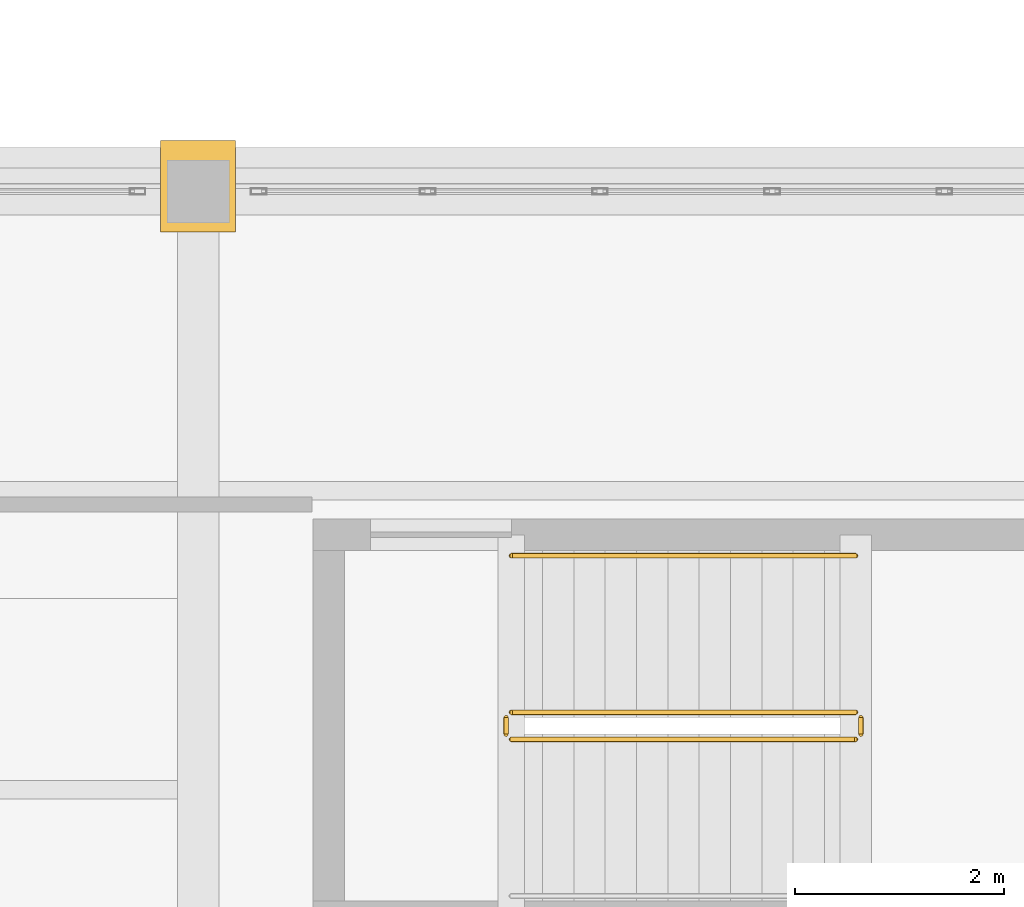
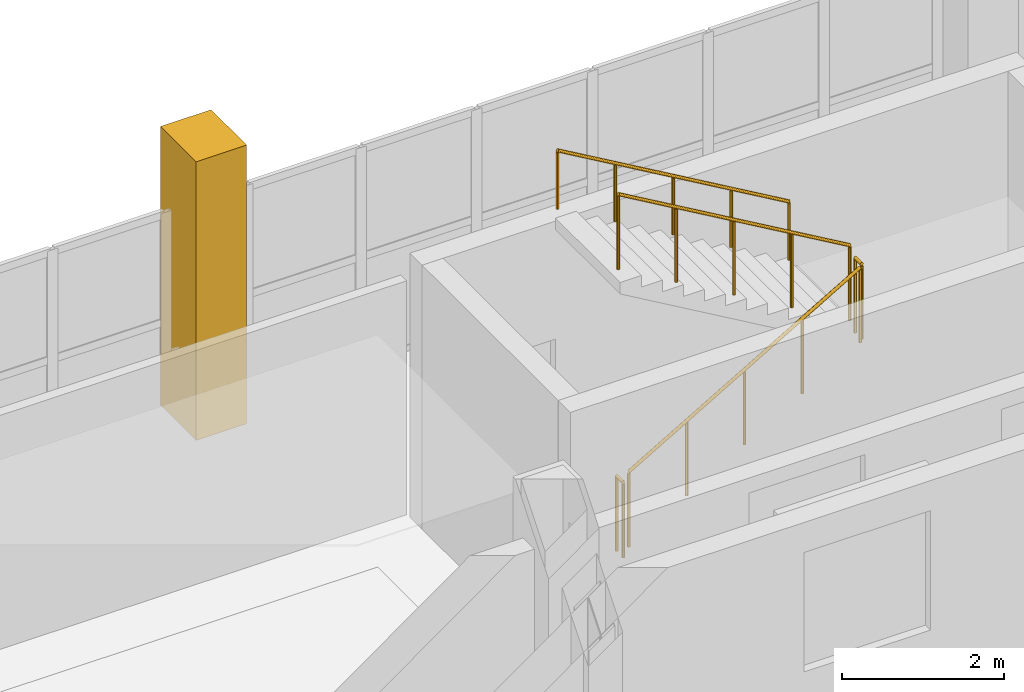
# One storey, part 112 of 120: 5 railings, 1 covering.
"""IFC4 building model written with IfcOpenShell, lengths in metres."""

from ifc_helpers import new_model, si_unit, direction, frame, origin, origin_2d, place, context, subcontext, project, spatial, rectangle, circle, extrude, material, layer, layer_set, type_object, element, save


model = new_model("IFC4")

# Units and contexts
model_context = context("Model", 3, precision=1e-05, world=origin(), true_north=direction((0.0, 1.0)))
body_context = subcontext(model_context, "Body", "Model", "MODEL_VIEW")
ifc_project = project(units=[si_unit("LENGTHUNIT", "METRE"), si_unit("AREAUNIT", "SQUARE_METRE"), si_unit("VOLUMEUNIT", "CUBIC_METRE"), si_unit("PLANEANGLEUNIT", "RADIAN"), si_unit("MASSUNIT", "GRAM", prefix="KILO")], contexts=[model_context])

# Site, building, storey
site_placement = place(None, origin())
site = spatial("IfcSite", under=ifc_project, at=site_placement, CompositionType="ELEMENT")
building_placement = place(site_placement, origin())
building = spatial("IfcBuilding", under=site, at=building_placement, Name="Caurita Quay Ferry Terminal", CompositionType="ELEMENT")
storey_placement = place(building_placement, frame((0.0, 0.0, 9.89990234375)))
storey = spatial("IfcBuildingStorey", under=building, at=storey_placement, Name="L02", CompositionType="ELEMENT", Elevation=9.89990234375)

# Covering
ifc_material_1 = material(Name="Warm-white lime stucco masonry", Category="masonry")
ifc_layer = layer(ifc_material_1, 0.179931640625, Name="Classical engaged lime-stucco facade pilaster cladding 180 mm")
ifc_layer_set = layer_set([ifc_layer], Name="Warm-white lime stucco masonry")
covering_type = type_object("IfcCoveringType", Name="COV-PIL-CLD", PredefinedType="CLADDING", material=ifc_layer_set)
covering_placement = place(storey_placement, frame((33.0, 80.25, 0.0), z_axis=(0.0, 0.0, 1.0), x_axis=(1.0, 0.0, 0.0)))
element("IfcCovering", 1, at=covering_placement, inside=storey, type_object=covering_type, Name="L02 Classical Engaged Pilaster 0333", PredefinedType="CLADDING", context=body_context, shape_type="SweptSolid", body=[
    extrude(rectangle(XDim=0.719970703125, YDim=0.8798828125, at=origin_2d()), origin(), (0.0, 0.0, 1.0), 4.199951171875),
])

# Railings
ifc_material_2 = material(Name="Bronze architectural metalwork", Category="metal")
railing_type_1 = type_object("IfcRailingType", Name="RL-HND-090", PredefinedType="HANDRAIL", material=ifc_material_2)
railing_1_placement = place(storey_placement, frame((39.300048828125, 76.7099609375, 2.275146484375)))
element("IfcRailing", 2, at=railing_1_placement, inside=storey, type_object=railing_type_1, Name="L02 ST-03 stair handrail 2", PredefinedType="HANDRAIL", context=body_context, shape_type="SweptSolid", body=[
    extrude(circle(Radius=0.02392578125, at=origin_2d()), frame((0.0, 0.0, 0.8759765625), z_axis=(-0.863776583165, 0.0, 0.503874998761), x_axis=(0.0, -1.0, 0.0)), (0.0, 0.0, 1.0), 3.820556640625),
    extrude(circle(Radius=0.02099609375, at=origin_2d()), origin(), (0.0, 0.0, 1.0), 0.851806640625),
    extrude(circle(Radius=0.02099609375, at=origin_2d()), frame((-0.824951171875, 0.0, 0.481201171875)), (0.0, 0.0, 1.0), 0.851806640625),
    extrude(circle(Radius=0.02099609375, at=origin_2d()), frame((-1.64990234375, 0.0, 0.96240234375)), (0.0, 0.0, 1.0), 0.851806640625),
    extrude(circle(Radius=0.02099609375, at=origin_2d()), frame((-2.47509765625, 0.0, 1.44384765625)), (0.0, 0.0, 1.0), 0.851806640625),
    extrude(circle(Radius=0.02099609375, at=origin_2d()), frame((-3.300048828125, 0.0, 1.925048828125)), (0.0, 0.0, 1.0), 0.851806640625),
])
railing_type_2 = type_object("IfcRailingType", Name="RL-REJA-115", PredefinedType="BALUSTRADE", material=ifc_material_2)
railing_2_placement = place(storey_placement, frame((36.0, 74.949951171875, 0.175048828125)))
element("IfcRailing", 3, at=railing_2_placement, inside=storey, type_object=railing_type_2, Name="L02 ST-03 stair guard 1", PredefinedType="BALUSTRADE", context=body_context, shape_type="SweptSolid", body=[
    extrude(circle(Radius=0.02392578125, at=origin_2d()), frame((0.0, 0.0, 1.1259765625), z_axis=(0.863776583165, 0.0, 0.503874998761), x_axis=(0.0, 1.0, 0.0)), (0.0, 0.0, 1.0), 3.820556640625),
    extrude(circle(Radius=0.02099609375, at=origin_2d()), origin(), (0.0, 0.0, 1.0), 1.101806640625),
    extrude(circle(Radius=0.02099609375, at=origin_2d()), frame((0.824951171875, 0.0, 0.481201171875)), (0.0, 0.0, 1.0), 1.101806640625),
    extrude(circle(Radius=0.02099609375, at=origin_2d()), frame((1.64990234375, 0.0, 0.96240234375)), (0.0, 0.0, 1.0), 1.101806640625),
    extrude(circle(Radius=0.02099609375, at=origin_2d()), frame((2.47509765625, 0.0, 1.44384765625)), (0.0, 0.0, 1.0), 1.101806640625),
    extrude(circle(Radius=0.02099609375, at=origin_2d()), frame((3.300048828125, 0.0, 1.925048828125)), (0.0, 0.0, 1.0), 1.101806640625),
])
railing_3_placement = place(storey_placement, frame((39.35009765625, 75.0, 2.10009765625)))
element("IfcRailing", 4, at=railing_3_placement, inside=storey, type_object=railing_type_2, Name="L02 ST-03 stair guard 2", PredefinedType="BALUSTRADE", context=body_context, shape_type="SweptSolid", body=[
    extrude(circle(Radius=0.02392578125, at=origin_2d()), frame((0.0, 0.0, 1.1259765625), z_axis=(0.0, 1.0, 0.0), x_axis=(-1.0, 0.0, 0.0)), (0.0, 0.0, 1.0), 0.159912109375),
    extrude(circle(Radius=0.02099609375, at=origin_2d()), origin(), (0.0, 0.0, 1.0), 1.101806640625),
    extrude(circle(Radius=0.02099609375, at=origin_2d()), frame((0.0, 0.159912109375, 0.0)), (0.0, 0.0, 1.0), 1.101806640625),
])
railing_4_placement = place(storey_placement, frame((39.300048828125, 75.2099609375, 2.275146484375)))
element("IfcRailing", 5, at=railing_4_placement, inside=storey, type_object=railing_type_2, Name="L02 ST-03 stair guard 3", PredefinedType="BALUSTRADE", context=body_context, shape_type="SweptSolid", body=[
    extrude(circle(Radius=0.02392578125, at=origin_2d()), frame((0.0, 0.0, 1.1259765625), z_axis=(-0.863776583165, 0.0, 0.503874998761), x_axis=(0.0, -1.0, 0.0)), (0.0, 0.0, 1.0), 3.820556640625),
    extrude(circle(Radius=0.02099609375, at=origin_2d()), origin(), (0.0, 0.0, 1.0), 1.101806640625),
    extrude(circle(Radius=0.02099609375, at=origin_2d()), frame((-0.824951171875, 0.0, 0.481201171875)), (0.0, 0.0, 1.0), 1.101806640625),
    extrude(circle(Radius=0.02099609375, at=origin_2d()), frame((-1.64990234375, 0.0, 0.96240234375)), (0.0, 0.0, 1.0), 1.101806640625),
    extrude(circle(Radius=0.02099609375, at=origin_2d()), frame((-2.47509765625, 0.0, 1.44384765625)), (0.0, 0.0, 1.0), 1.101806640625),
    extrude(circle(Radius=0.02099609375, at=origin_2d()), frame((-3.300048828125, 0.0, 1.925048828125)), (0.0, 0.0, 1.0), 1.101806640625),
])
railing_5_placement = place(storey_placement, frame((35.949951171875, 75.0, 0.0)))
element("IfcRailing", 6, at=railing_5_placement, inside=storey, type_object=railing_type_2, Name="L02 ST-03 stair guard 4", PredefinedType="BALUSTRADE", context=body_context, shape_type="SweptSolid", body=[
    extrude(circle(Radius=0.02392578125, at=origin_2d()), frame((0.0, 0.0, 1.1259765625), z_axis=(0.0, 1.0, 0.0), x_axis=(-1.0, 0.0, 0.0)), (0.0, 0.0, 1.0), 0.159912109375),
    extrude(circle(Radius=0.02099609375, at=origin_2d()), origin(), (0.0, 0.0, 1.0), 1.101806640625),
    extrude(circle(Radius=0.02099609375, at=origin_2d()), frame((0.0, 0.159912109375, 0.0)), (0.0, 0.0, 1.0), 1.101806640625),
])

save(model, "model.ifc")
